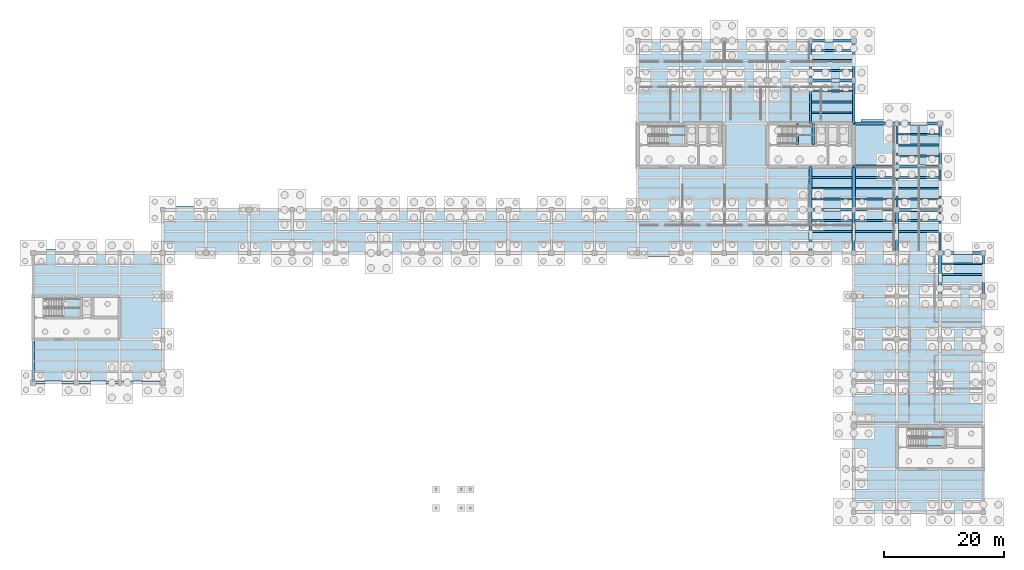
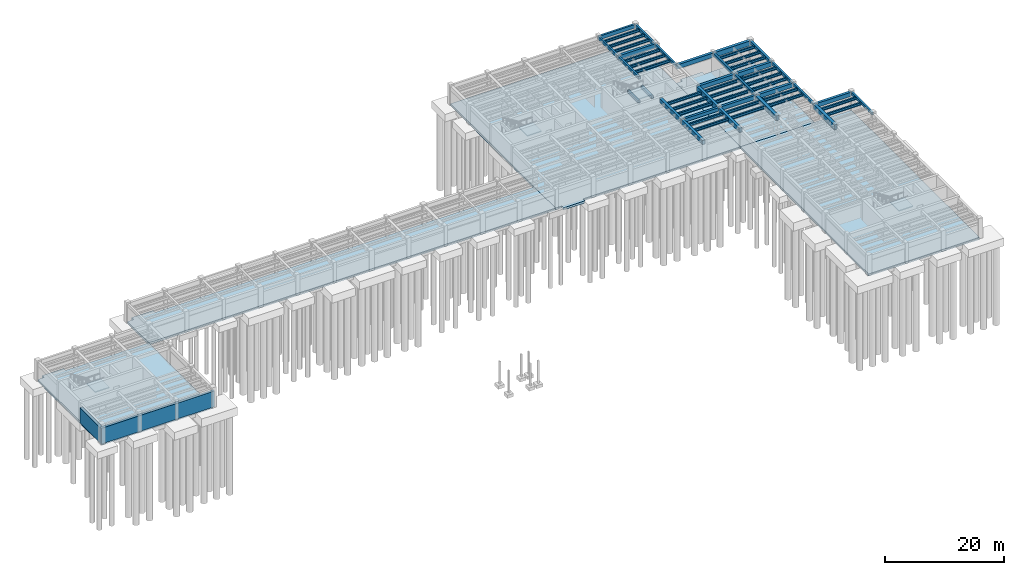
# One storey, part 10 of 22: 54 beams, 9 slabs, 2 walls, 4 elements without a shape of their own.
"""IFC4 building model written with IfcOpenShell, lengths in metres."""

from ifc_helpers import new_model, si_unit, direction, frame, frame_2d, origin, origin_2d, place, context, subcontext, project, spatial, polyline, rectangle, i_section, outline, extrude, material, layer, layer_set, material_profile, profile_set, type_object, element, aggregate, save


model = new_model("IFC4")

# Units and contexts
model_context = context("Model", 3, precision=1e-05, world=origin(), true_north=direction((0.0, 1.0)))
body_context = subcontext(model_context, "Body", "Model", "MODEL_VIEW")
ifc_project = project(units=[si_unit("LENGTHUNIT", "METRE"), si_unit("AREAUNIT", "SQUARE_METRE"), si_unit("VOLUMEUNIT", "CUBIC_METRE"), si_unit("PLANEANGLEUNIT", "RADIAN"), si_unit("MASSUNIT", "GRAM", prefix="KILO")], contexts=[model_context])

# Site, building, storey
site_placement = place(None, origin())
site = spatial("IfcSite", under=ifc_project, at=site_placement, CompositionType="ELEMENT")
building_placement = place(site_placement, origin())
building = spatial("IfcBuilding", under=site, at=building_placement, Name="Mithqara Police Headquarters", CompositionType="ELEMENT")
storey_placement = place(building_placement, frame((0.0, 0.0, -8.39990234375)))
storey = spatial("IfcBuildingStorey", under=building, at=storey_placement, Name="B2", CompositionType="ELEMENT", Elevation=-8.39990234375)

# Beams
ifc_material_1 = material(Name="Steel S355JR", Category="steel")
ifc_material_profile_1 = material_profile(ifc_material_1, i_section(OverallWidth=0.300048828125, OverallDepth=0.550048828125, WebThickness=0.014892578125, FlangeThickness=0.029052734375, FilletRadius=0.027099609375, at=origin_2d()), Name="HEB 550")
ifc_profile_set_1 = profile_set([ifc_material_profile_1], Name="Steel S355JR")
beam_type_1 = type_object("IfcBeamType", Name="BEAM HEB550", PredefinedType="BEAM", material=ifc_profile_set_1)
for number, where, z_axis, x_axis, name in (
    (1, (137.64990234375, 82.199951171875, 3.625), (1.0, 0.0, 0.0), (0.0, 1.0, 0.0), "B2 Composite Steel Joist 20-21/M.2"),
    (2, (137.64990234375, 84.0, 3.625), (1.0, 0.0, 0.0), (0.0, 1.0, 0.0), "B2 Composite Steel Joist 20-21/M.3"),
):
    element("IfcBeam", number, at=place(storey_placement, frame(where, z_axis=z_axis, x_axis=x_axis)), inside=storey, type_object=beam_type_1, Name=name, PredefinedType="BEAM", context=body_context, shape_type="SweptSolid", body=[
        extrude(i_section(OverallWidth=0.300048828125, OverallDepth=0.550048828125, WebThickness=0.014892578125, FlangeThickness=0.029052734375, FilletRadius=0.027099609375, at=origin_2d()), origin(), (0.0, 0.0, 1.0), 6.7001953125),
    ])
for number, where, z_axis, x_axis, name in (
    (3, (137.64990234375, 87.60009765625, 3.625), (1.0, 0.0, 0.0), (0.0, 1.0, 0.0), "B2 Composite Steel Joist 20-21/N.1"),
    (4, (137.64990234375, 89.39990234375, 3.625), (1.0, 0.0, 0.0), (0.0, 1.0, 0.0), "B2 Composite Steel Joist 20-21/N.2"),
    (5, (137.64990234375, 91.199951171875, 3.625), (1.0, 0.0, 0.0), (0.0, 1.0, 0.0), "B2 Composite Steel Joist 20-21/N.3"),
):
    element("IfcBeam", number, at=place(storey_placement, frame(where, z_axis=z_axis, x_axis=x_axis)), inside=storey, type_object=beam_type_1, Name=name, PredefinedType="BEAM", context=body_context, shape_type="SweptSolid", body=[
        extrude(i_section(OverallWidth=0.300048828125, OverallDepth=0.550048828125, WebThickness=0.014892578125, FlangeThickness=0.029052734375, FilletRadius=0.027099609375, at=origin_2d()), origin(), (0.0, 0.0, 1.0), 6.675048828125),
    ])
for number, where, z_axis, x_axis, name in (
    (6, (137.574951171875, 102.0, 3.625), (1.0, 0.0, 0.0), (0.0, 1.0, 0.0), "B2 Composite Steel Joist 20-21/Q.1"),
    (7, (137.574951171875, 103.800048828125, 3.625), (1.0, 0.0, 0.0), (0.0, 1.0, 0.0), "B2 Composite Steel Joist 20-21/Q.2"),
    (8, (137.574951171875, 105.60009765625, 3.625), (1.0, 0.0, 0.0), (0.0, 1.0, 0.0), "B2 Composite Steel Joist 20-21/Q.3"),
):
    element("IfcBeam", number, at=place(storey_placement, frame(where, z_axis=z_axis, x_axis=x_axis)), inside=storey, type_object=beam_type_1, Name=name, PredefinedType="BEAM", context=body_context, shape_type="SweptSolid", body=[
        extrude(i_section(OverallWidth=0.300048828125, OverallDepth=0.550048828125, WebThickness=0.014892578125, FlangeThickness=0.029052734375, FilletRadius=0.027099609375, at=origin_2d()), origin(), (0.0, 0.0, 1.0), 6.85009765625),
    ])
for number, where, z_axis, x_axis, name in (
    (9, (137.574951171875, 109.050048828125, 3.625), (1.0, 0.0, 0.0), (0.0, 1.0, 0.0), "B2 Composite Steel Joist 20-21/R.1"),
    (10, (137.574951171875, 110.699951171875, 3.625), (1.0, 0.0, 0.0), (0.0, 1.0, 0.0), "B2 Composite Steel Joist 20-21/R.2"),
    (11, (137.574951171875, 112.35009765625, 3.625), (1.0, 0.0, 0.0), (0.0, 1.0, 0.0), "B2 Composite Steel Joist 20-21/R.3"),
):
    element("IfcBeam", number, at=place(storey_placement, frame(where, z_axis=z_axis, x_axis=x_axis)), inside=storey, type_object=beam_type_1, Name=name, PredefinedType="BEAM", context=body_context, shape_type="SweptSolid", body=[
        extrude(i_section(OverallWidth=0.300048828125, OverallDepth=0.550048828125, WebThickness=0.014892578125, FlangeThickness=0.029052734375, FilletRadius=0.027099609375, at=origin_2d()), origin(), (0.0, 0.0, 1.0), 6.824951171875),
    ])
for number, where, z_axis, x_axis, name in (
    (12, (144.85009765625, 82.199951171875, 3.625), (1.0, 0.0, 0.0), (0.0, 1.0, 0.0), "B2 Composite Steel Joist 21-22/M.2"),
    (13, (144.85009765625, 84.0, 3.625), (1.0, 0.0, 0.0), (0.0, 1.0, 0.0), "B2 Composite Steel Joist 21-22/M.3"),
):
    element("IfcBeam", number, at=place(storey_placement, frame(where, z_axis=z_axis, x_axis=x_axis)), inside=storey, type_object=beam_type_1, Name=name, PredefinedType="BEAM", context=body_context, shape_type="SweptSolid", body=[
        extrude(i_section(OverallWidth=0.300048828125, OverallDepth=0.550048828125, WebThickness=0.014892578125, FlangeThickness=0.029052734375, FilletRadius=0.027099609375, at=origin_2d()), origin(), (0.0, 0.0, 1.0), 6.6748046875),
    ])
for number, where, z_axis, x_axis, name in (
    (14, (144.875, 87.60009765625, 3.625), (1.0, 0.0, 0.0), (0.0, 1.0, 0.0), "B2 Composite Steel Joist 21-22/N.1"),
    (15, (144.875, 89.39990234375, 3.625), (1.0, 0.0, 0.0), (0.0, 1.0, 0.0), "B2 Composite Steel Joist 21-22/N.2"),
    (16, (144.875, 91.199951171875, 3.625), (1.0, 0.0, 0.0), (0.0, 1.0, 0.0), "B2 Composite Steel Joist 21-22/N.3"),
    (17, (152.074951171875, 82.199951171875, 3.625), (1.0, 0.0, 0.0), (0.0, 1.0, 0.0), "B2 Composite Steel Joist 22-23/M.2"),
    (18, (152.074951171875, 84.0, 3.625), (1.0, 0.0, 0.0), (0.0, 1.0, 0.0), "B2 Composite Steel Joist 22-23/M.3"),
):
    element("IfcBeam", number, at=place(storey_placement, frame(where, z_axis=z_axis, x_axis=x_axis)), inside=storey, type_object=beam_type_1, Name=name, PredefinedType="BEAM", context=body_context, shape_type="SweptSolid", body=[
        extrude(i_section(OverallWidth=0.300048828125, OverallDepth=0.550048828125, WebThickness=0.014892578125, FlangeThickness=0.029052734375, FilletRadius=0.027099609375, at=origin_2d()), origin(), (0.0, 0.0, 1.0), 6.75),
    ])
for number, where, z_axis, x_axis, name in (
    (19, (151.97509765625, 87.60009765625, 3.625), (1.0, 0.0, 0.0), (0.0, 1.0, 0.0), "B2 Composite Steel Joist 22-23/N.1"),
    (20, (151.97509765625, 89.39990234375, 3.625), (1.0, 0.0, 0.0), (0.0, 1.0, 0.0), "B2 Composite Steel Joist 22-23/N.2"),
    (21, (151.97509765625, 91.199951171875, 3.625), (1.0, 0.0, 0.0), (0.0, 1.0, 0.0), "B2 Composite Steel Joist 22-23/N.3"),
):
    element("IfcBeam", number, at=place(storey_placement, frame(where, z_axis=z_axis, x_axis=x_axis)), inside=storey, type_object=beam_type_1, Name=name, PredefinedType="BEAM", context=body_context, shape_type="SweptSolid", body=[
        extrude(i_section(OverallWidth=0.300048828125, OverallDepth=0.550048828125, WebThickness=0.014892578125, FlangeThickness=0.029052734375, FilletRadius=0.027099609375, at=origin_2d()), origin(), (0.0, 0.0, 1.0), 6.849853515625),
    ])
for number, where, z_axis, x_axis, name in (
    (22, (151.97509765625, 94.800048828125, 3.625), (1.0, 0.0, 0.0), (0.0, 1.0, 0.0), "B2 Composite Steel Joist 22-23/P.1"),
    (23, (151.97509765625, 96.60009765625, 3.625), (1.0, 0.0, 0.0), (0.0, 1.0, 0.0), "B2 Composite Steel Joist 22-23/P.2"),
    (24, (151.97509765625, 98.39990234375, 3.625), (1.0, 0.0, 0.0), (0.0, 1.0, 0.0), "B2 Composite Steel Joist 22-23/P.3"),
):
    element("IfcBeam", number, at=place(storey_placement, frame(where, z_axis=z_axis, x_axis=x_axis)), inside=storey, type_object=beam_type_1, Name=name, PredefinedType="BEAM", context=body_context, shape_type="SweptSolid", body=[
        extrude(i_section(OverallWidth=0.300048828125, OverallDepth=0.550048828125, WebThickness=0.014892578125, FlangeThickness=0.029052734375, FilletRadius=0.027099609375, at=origin_2d()), origin(), (0.0, 0.0, 1.0), 6.824951171875),
    ])
for number, where, z_axis, x_axis, name in (
    (25, (159.27490234375, 75.0, 3.625), (1.0, 0.0, 0.0), (0.0, 1.0, 0.0), "B2 Composite Steel Joist 23-24/L.2"),
    (26, (159.27490234375, 76.800048828125, 3.625), (1.0, 0.0, 0.0), (0.0, 1.0, 0.0), "B2 Composite Steel Joist 23-24/L.3"),
):
    element("IfcBeam", number, at=place(storey_placement, frame(where, z_axis=z_axis, x_axis=x_axis)), inside=storey, type_object=beam_type_1, Name=name, PredefinedType="BEAM", context=body_context, shape_type="SweptSolid", body=[
        extrude(i_section(OverallWidth=0.300048828125, OverallDepth=0.550048828125, WebThickness=0.014892578125, FlangeThickness=0.029052734375, FilletRadius=0.027099609375, at=origin_2d()), origin(), (0.0, 0.0, 1.0), 6.75),
    ])
ifc_material_2 = material(Name="Concrete C40/50", Category="concrete")
ifc_material_profile_2 = material_profile(ifc_material_2, rectangle(XDim=0.35009765625, YDim=0.550048828125, at=origin_2d()), Name="RC 350x550")
ifc_profile_set_2 = profile_set([ifc_material_profile_2], Name="Concrete C40/50")
beam_type_2 = type_object("IfcBeamType", Name="BEAM RC350X550", PredefinedType="BEAM", material=ifc_profile_set_2)
for number, where, z_axis, x_axis, name in (
    (27, (137.39990234375, 100.199951171875, 3.625), (0.0, 1.0, 0.0), (-1.0, 0.0, 0.0), "B2 Girder 20/Q-R"),
    (28, (151.800048828125, 85.800048828125, 3.625), (0.0, 1.0, 0.0), (-1.0, 0.0, 0.0), "B2 Girder 22/N-P"),
    (29, (159.0, 78.60009765625, 3.625), (0.0, 1.0, 0.0), (-1.0, 0.0, 0.0), "B2 Girder 23/M-N"),
):
    element("IfcBeam", number, at=place(storey_placement, frame(where, z_axis=z_axis, x_axis=x_axis)), inside=storey, type_object=beam_type_2, Name=name, PredefinedType="BEAM", context=body_context, shape_type="SweptSolid", body=[
        extrude(rectangle(XDim=0.35009765625, YDim=0.550048828125, at=origin_2d()), origin(), (0.0, 0.0, 1.0), 7.199951171875),
    ])
beam_1_placement = place(storey_placement, frame((166.199951171875, 71.39990234375, 3.625), z_axis=(0.0, 1.0, 0.0), x_axis=(-1.0, 0.0, 0.0)))
element("IfcBeam", 30, at=beam_1_placement, inside=storey, type_object=beam_type_2, Name="B2 Girder 24/L-M", PredefinedType="BEAM", context=body_context, shape_type="SweptSolid", body=[
    extrude(rectangle(XDim=0.35009765625, YDim=0.550048828125, at=origin_2d()), origin(), (0.0, 0.0, 1.0), 7.2001953125),
])
for number, where, z_axis, x_axis, name in (
    (31, (135.22998046875, 96.6201171875, 1.635009765625), (0.0, 1.0, 0.0), (-1.0, 0.0, 0.0), "B2 ST-02 Half-Landing Bearer LF"),
    (32, (137.85009765625, 96.6201171875, 1.635009765625), (0.0, 1.0, 0.0), (-1.0, 0.0, 0.0), "B2 ST-02 Half-Landing Bearer LB"),
):
    element("IfcBeam", number, at=place(storey_placement, frame(where, z_axis=z_axis, x_axis=x_axis)), inside=storey, type_object=beam_type_2, Name=name, PredefinedType="BEAM", context=body_context, shape_type="SweptSolid", body=[
        extrude(rectangle(XDim=0.35009765625, YDim=0.550048828125, at=origin_2d()), origin(), (0.0, 0.0, 1.0), 3.579833984375),
    ])
ifc_material_profile_3 = material_profile(ifc_material_2, rectangle(XDim=0.35009765625, YDim=0.60009765625, at=origin_2d()), Name="RC 350x600")
ifc_profile_set_3 = profile_set([ifc_material_profile_3], Name="Concrete C40/50")
beam_type_3 = type_object("IfcBeamType", Name="BEAM RC350X600", PredefinedType="BEAM", material=ifc_profile_set_3)
beam_2_placement = place(storey_placement, frame((137.39990234375, 107.39990234375, 3.599853515625), z_axis=(0.0, 1.0, 0.0), x_axis=(-1.0, 0.0, 0.0)))
element("IfcBeam", 33, at=beam_2_placement, inside=storey, type_object=beam_type_3, Name="B2 Girder 20/R-S", PredefinedType="BEAM", context=body_context, shape_type="SweptSolid", body=[
    extrude(rectangle(XDim=0.35009765625, YDim=0.60009765625, at=origin_2d()), origin(), (0.0, 0.0, 1.0), 6.60009765625),
])
for number, where, z_axis, x_axis, name in (
    (34, (144.60009765625, 100.199951171875, 3.599853515625), (0.0, 1.0, 0.0), (-1.0, 0.0, 0.0), "B2 Girder 21/Q-R"),
    (35, (151.800048828125, 93.0, 3.599853515625), (0.0, 1.0, 0.0), (-1.0, 0.0, 0.0), "B2 Girder 22/P-Q"),
    (36, (159.0, 85.800048828125, 3.599853515625), (0.0, 1.0, 0.0), (-1.0, 0.0, 0.0), "B2 Girder 23/N-P"),
):
    element("IfcBeam", number, at=place(storey_placement, frame(where, z_axis=z_axis, x_axis=x_axis)), inside=storey, type_object=beam_type_3, Name=name, PredefinedType="BEAM", context=body_context, shape_type="SweptSolid", body=[
        extrude(rectangle(XDim=0.35009765625, YDim=0.60009765625, at=origin_2d()), origin(), (0.0, 0.0, 1.0), 7.199951171875),
    ])
ifc_material_profile_4 = material_profile(ifc_material_2, rectangle(XDim=0.39990234375, YDim=0.64990234375, at=origin_2d()), Name="RC 400x650")
ifc_profile_set_4 = profile_set([ifc_material_profile_4], Name="Concrete C40/50")
beam_type_4 = type_object("IfcBeamType", Name="BEAM RC400X650", PredefinedType="BEAM", material=ifc_profile_set_4)
beam_3_placement = place(storey_placement, frame((144.60009765625, 107.39990234375, 3.574951171875), z_axis=(0.0, 1.0, 0.0), x_axis=(-1.0, 0.0, 0.0)))
element("IfcBeam", 37, at=beam_3_placement, inside=storey, type_object=beam_type_4, Name="B2 Girder 21/R-S", PredefinedType="BEAM", context=body_context, shape_type="SweptSolid", body=[
    extrude(rectangle(XDim=0.39990234375, YDim=0.64990234375, at=origin_2d()), origin(), (0.0, 0.0, 1.0), 6.60009765625),
])
beam_4_placement = place(storey_placement, frame((159.0, 93.0, 3.574951171875), z_axis=(0.0, 1.0, 0.0), x_axis=(-1.0, 0.0, 0.0)))
element("IfcBeam", 38, at=beam_4_placement, inside=storey, type_object=beam_type_4, Name="B2 Girder 23/P-Q", PredefinedType="BEAM", context=body_context, shape_type="SweptSolid", body=[
    extrude(rectangle(XDim=0.39990234375, YDim=0.64990234375, at=origin_2d()), origin(), (0.0, 0.0, 1.0), 7.199951171875),
])
ifc_material_profile_5 = material_profile(ifc_material_2, rectangle(XDim=0.449951171875, YDim=0.699951171875, at=origin_2d()), Name="RC 450x700")
ifc_profile_set_5 = profile_set([ifc_material_profile_5], Name="Concrete C40/50")
beam_type_5 = type_object("IfcBeamType", Name="BEAM RC450X700", PredefinedType="BEAM", material=ifc_profile_set_5)
beam_5_placement = place(storey_placement, frame((137.39990234375, 85.800048828125, 3.5498046875), z_axis=(1.0, 0.0, 0.0), x_axis=(0.0, 1.0, 0.0)))
element("IfcBeam", 39, at=beam_5_placement, inside=storey, type_object=beam_type_5, Name="B2 Girder 20-21/N", PredefinedType="BEAM", context=body_context, shape_type="SweptSolid", body=[
    extrude(rectangle(XDim=0.449951171875, YDim=0.699951171875, at=origin_2d()), origin(), (0.0, 0.0, 1.0), 7.2001953125),
])
ifc_material_profile_6 = material_profile(ifc_material_2, rectangle(XDim=0.449951171875, YDim=0.800048828125, at=origin_2d()), Name="RC 450x800")
ifc_profile_set_6 = profile_set([ifc_material_profile_6], Name="Concrete C40/50")
beam_type_6 = type_object("IfcBeamType", Name="BEAM RC450X800", PredefinedType="BEAM", material=ifc_profile_set_6)
beam_6_placement = place(storey_placement, frame((144.60009765625, 85.800048828125, 3.5), z_axis=(1.0, 0.0, 0.0), x_axis=(0.0, 1.0, 0.0)))
element("IfcBeam", 40, at=beam_6_placement, inside=storey, type_object=beam_type_6, Name="B2 Girder 21-22/N", PredefinedType="BEAM", context=body_context, shape_type="SweptSolid", body=[
    extrude(rectangle(XDim=0.449951171875, YDim=0.800048828125, at=origin_2d()), origin(), (0.0, 0.0, 1.0), 7.199951171875),
])
ifc_material_profile_7 = material_profile(ifc_material_2, rectangle(XDim=0.5, YDim=0.85009765625, at=origin_2d()), Name="RC 500x850")
ifc_profile_set_7 = profile_set([ifc_material_profile_7], Name="Concrete C40/50")
beam_type_7 = type_object("IfcBeamType", Name="BEAM RC500X850", PredefinedType="BEAM", material=ifc_profile_set_7)
for number, where, z_axis, x_axis, name in (
    (41, (137.39990234375, 78.60009765625, 3.474853515625), (0.0, 1.0, 0.0), (-1.0, 0.0, 0.0), "B2 Girder 20/M-N"),
    (42, (144.60009765625, 93.0, 3.474853515625), (1.0, 0.0, 0.0), (0.0, 1.0, 0.0), "B2 Girder 21-22/P"),
    (43, (151.800048828125, 85.800048828125, 3.474853515625), (1.0, 0.0, 0.0), (0.0, 1.0, 0.0), "B2 Girder 22-23/N"),
    (44, (159.0, 78.60009765625, 3.474853515625), (1.0, 0.0, 0.0), (0.0, 1.0, 0.0), "B2 Girder 23-24/M"),
):
    element("IfcBeam", number, at=place(storey_placement, frame(where, z_axis=z_axis, x_axis=x_axis)), inside=storey, type_object=beam_type_7, Name=name, PredefinedType="BEAM", context=body_context, shape_type="SweptSolid", body=[
        extrude(rectangle(XDim=0.5, YDim=0.85009765625, at=origin_2d()), origin(), (0.0, 0.0, 1.0), 7.199951171875),
    ])
ifc_material_3 = material(Name="Concrete C50/60", Category="concrete")
ifc_material_profile_8 = material_profile(ifc_material_3, rectangle(XDim=0.5, YDim=0.89990234375, at=origin_2d()), Name="RC 500x900")
ifc_profile_set_8 = profile_set([ifc_material_profile_8], Name="Concrete C50/60")
beam_type_8 = type_object("IfcBeamType", Name="BEAM RC500X900", PredefinedType="BEAM", material=ifc_profile_set_8)
beam_7_placement = place(storey_placement, frame((137.39990234375, 85.800048828125, 3.449951171875), z_axis=(0.0, 1.0, 0.0), x_axis=(-1.0, 0.0, 0.0)))
element("IfcBeam", 45, at=beam_7_placement, inside=storey, type_object=beam_type_8, Name="B2 Girder 20/N-P", PredefinedType="BEAM", context=body_context, shape_type="SweptSolid", body=[
    extrude(rectangle(XDim=0.5, YDim=0.89990234375, at=origin_2d()), origin(), (0.0, 0.0, 1.0), 7.199951171875),
])
beam_8_placement = place(storey_placement, frame((137.39990234375, 107.39990234375, 3.449951171875), z_axis=(1.0, 0.0, 0.0), x_axis=(0.0, 1.0, 0.0)))
element("IfcBeam", 46, at=beam_8_placement, inside=storey, type_object=beam_type_8, Name="B2 Girder 20-21/R", PredefinedType="BEAM", context=body_context, shape_type="SweptSolid", body=[
    extrude(rectangle(XDim=0.5, YDim=0.89990234375, at=origin_2d()), origin(), (0.0, 0.0, 1.0), 7.2001953125),
])
for number, where, z_axis, x_axis, name in (
    (47, (144.60009765625, 78.60009765625, 3.449951171875), (0.0, 1.0, 0.0), (-1.0, 0.0, 0.0), "B2 Girder 21/M-N"),
    (48, (144.60009765625, 100.199951171875, 3.449951171875), (1.0, 0.0, 0.0), (0.0, 1.0, 0.0), "B2 Girder 21-22/Q"),
    (49, (151.800048828125, 93.0, 3.449951171875), (1.0, 0.0, 0.0), (0.0, 1.0, 0.0), "B2 Girder 22-23/P"),
):
    element("IfcBeam", number, at=place(storey_placement, frame(where, z_axis=z_axis, x_axis=x_axis)), inside=storey, type_object=beam_type_8, Name=name, PredefinedType="BEAM", context=body_context, shape_type="SweptSolid", body=[
        extrude(rectangle(XDim=0.5, YDim=0.89990234375, at=origin_2d()), origin(), (0.0, 0.0, 1.0), 7.199951171875),
    ])
ifc_material_profile_9 = material_profile(ifc_material_3, rectangle(XDim=0.550048828125, YDim=1.0, at=origin_2d()), Name="RC 550x1000")
ifc_profile_set_9 = profile_set([ifc_material_profile_9], Name="Concrete C50/60")
beam_type_9 = type_object("IfcBeamType", Name="BEAM RC550X1000", PredefinedType="BEAM", material=ifc_profile_set_9)
for number, where, z_axis, x_axis, name in (
    (50, (144.60009765625, 85.800048828125, 3.39990234375), (0.0, 1.0, 0.0), (-1.0, 0.0, 0.0), "B2 Girder 21/N-P"),
    (51, (151.800048828125, 78.60009765625, 3.39990234375), (0.0, 1.0, 0.0), (-1.0, 0.0, 0.0), "B2 Girder 22/M-N"),
    (52, (151.800048828125, 100.199951171875, 3.39990234375), (1.0, 0.0, 0.0), (0.0, 1.0, 0.0), "B2 Girder 22-23/Q"),
):
    element("IfcBeam", number, at=place(storey_placement, frame(where, z_axis=z_axis, x_axis=x_axis)), inside=storey, type_object=beam_type_9, Name=name, PredefinedType="BEAM", context=body_context, shape_type="SweptSolid", body=[
        extrude(rectangle(XDim=0.550048828125, YDim=1.0, at=origin_2d()), origin(), (0.0, 0.0, 1.0), 7.199951171875),
    ])
beam_9_placement = place(storey_placement, frame((159.0, 71.39990234375, 3.39990234375), z_axis=(0.0, 1.0, 0.0), x_axis=(-1.0, 0.0, 0.0)))
element("IfcBeam", 53, at=beam_9_placement, inside=storey, type_object=beam_type_9, Name="B2 Girder 23/L-M", PredefinedType="BEAM", context=body_context, shape_type="SweptSolid", body=[
    extrude(rectangle(XDim=0.550048828125, YDim=1.0, at=origin_2d()), origin(), (0.0, 0.0, 1.0), 7.2001953125),
])
ifc_material_profile_10 = material_profile(ifc_material_2, rectangle(XDim=0.39990234375, YDim=0.75, at=origin_2d()), Name="SPB 400x750")
ifc_profile_set_10 = profile_set([ifc_material_profile_10], Name="Concrete C40/50")
beam_type_10 = type_object("IfcBeamType", Name="SPANDREL 400X750", PredefinedType="SPANDREL", material=ifc_profile_set_10)
beam_10_placement = place(storey_placement, frame((137.39990234375, 114.0, 3.52490234375), z_axis=(1.0, 0.0, 0.0), x_axis=(0.0, 1.0, 0.0)))
element("IfcBeam", 54, at=beam_10_placement, inside=storey, type_object=beam_type_10, Name="B2 Girder 20-21/S", PredefinedType="SPANDREL", context=body_context, shape_type="SweptSolid", body=[
    extrude(rectangle(XDim=0.39990234375, YDim=0.75, at=origin_2d()), origin(), (0.0, 0.0, 1.0), 7.2001953125),
])

# Slabs
ifc_layer_1 = layer(ifc_material_2, 0.449951171875, Name="Concrete C40/50")
ifc_layer_set_1 = layer_set([ifc_layer_1], Name="Concrete C40/50")
slab_type_1 = type_object("IfcSlabType", Name="BASE SLAB 450", PredefinedType="BASESLAB", material=ifc_layer_set_1)
slab_1_placement = place(storey_placement, frame((0.0, 0.0, -0.4501953125)))
element("IfcSlab", 55, at=slab_1_placement, inside=storey, type_object=slab_type_1, Name="B2 Structural Slab B2-V1A", PredefinedType="BASESLAB", context=body_context, shape_type="SweptSolid", body=[
    extrude(outline(polyline([(109.800048828125, 78.60009765625), (108.60009765625, 78.60009765625), (108.60009765625, 114.0), (144.60009765625, 114.0), (144.60009765625, 78.60009765625), (114.0, 78.60009765625), (114.0, 77.949951171875), (109.800048828125, 77.949951171875), (109.800048828125, 78.60009765625)])), origin(), (0.0, 0.0, 1.0), 0.4501953125),
])
slab_2_placement = place(storey_placement, frame((0.0, 0.0, -0.4501953125)))
element("IfcSlab", 56, at=slab_2_placement, inside=storey, type_object=slab_type_1, Name="B2 Structural Slab B2-V1B", PredefinedType="BASESLAB", context=body_context, shape_type="SweptSolid", body=[
    extrude(outline(polyline([(159.0, 78.60009765625), (144.60009765625, 78.60009765625), (144.60009765625, 100.199951171875), (145.800048828125, 100.199951171875), (145.800048828125, 100.85009765625), (150.0, 100.85009765625), (150.0, 100.199951171875), (159.0, 100.199951171875), (159.0, 78.60009765625)])), origin(), (0.0, 0.0, 1.0), 0.4501953125),
])
slab_3_placement = place(storey_placement, frame((0.0, 0.0, -0.4501953125)))
element("IfcSlab", 57, at=slab_3_placement, inside=storey, type_object=slab_type_1, Name="B2 Structural Slab B2-V5N", PredefinedType="BASESLAB", context=body_context, shape_type="SweptSolid", body=[
    extrude(outline(polyline([(29.39990234375, 78.60009765625), (29.39990234375, 85.800048828125), (30.60009765625, 85.800048828125), (30.60009765625, 86.449951171875), (34.800048828125, 86.449951171875), (34.800048828125, 85.800048828125), (108.60009765625, 85.800048828125), (108.60009765625, 78.60009765625), (29.39990234375, 78.60009765625)])), origin(), (0.0, 0.0, 1.0), 0.4501953125),
])
slab_4_placement = place(storey_placement, frame((0.0, 0.0, -0.4501953125)))
element("IfcSlab", 58, at=slab_4_placement, inside=storey, type_object=slab_type_1, Name="B2 Structural Slab B2-V5W", PredefinedType="BASESLAB", context=body_context, shape_type="SweptSolid", body=[
    extrude(outline(polyline([(7.800048828125, 57.0), (7.800048828125, 78.60009765625), (9.0, 78.60009765625), (9.0, 79.25), (13.199951171875, 79.25), (13.199951171875, 78.60009765625), (29.39990234375, 78.60009765625), (29.39990234375, 57.0), (7.800048828125, 57.0)])), origin(), (0.0, 0.0, 1.0), 0.4501953125),
])
slab_5_placement = place(storey_placement, frame((0.0, 0.0, -0.4501953125)))
element("IfcSlab", 59, at=slab_5_placement, inside=storey, type_object=slab_type_1, Name="B2 Structural Slab B2-V6E", PredefinedType="BASESLAB", context=body_context, shape_type="SweptSolid", body=[
    extrude(outline(polyline([(166.199951171875, 78.60009765625), (166.199951171875, 35.39990234375), (144.60009765625, 35.39990234375), (144.60009765625, 78.60009765625), (159.0, 78.60009765625), (166.199951171875, 78.60009765625)])), origin(), (0.0, 0.0, 1.0), 0.4501953125),
])

# Stair, slab
stair_type_1 = type_object("IfcStairType", Name="STAIR ST 01-R24", PredefinedType="HALF_TURN_STAIR", material=ifc_material_2)
stair_1_placement = place(storey_placement, origin())
stair_1 = element("IfcStair", 60, at=stair_1_placement, inside=storey, type_object=stair_type_1, Name="B2 Core C1 Command West Exit Stair", PredefinedType="HALF_TURN_STAIR")
ifc_layer_2 = layer(ifc_material_2, 0.199951171875, Name="Concrete C40/50")
ifc_layer_set_2 = layer_set([ifc_layer_2], Name="Concrete C40/50")
slab_type_2 = type_object("IfcSlabType", Name="STAIR LANDING 200", PredefinedType="LANDING", material=ifc_layer_set_2)
slab_6_placement = place(storey_placement, frame((0.0, 0.0, 1.89990234375)))
slab_6 = element("IfcSlab", 61, at=slab_6_placement, type_object=slab_type_2, Name="ST-01 landing 1", PredefinedType="LANDING", context=body_context, shape_type="SweptSolid", body=[
    extrude(outline(polyline([(113.6298828125, 96.800048828125), (116.39990234375, 96.800048828125), (116.39990234375, 99.699951171875), (113.6298828125, 99.699951171875), (113.6298828125, 96.800048828125)])), origin(), (0.0, 0.0, 1.0), 0.199951171875),
])
aggregate(stair_1, [slab_6])

stair_type_2 = type_object("IfcStairType", Name="STAIR ST 02-R24", PredefinedType="HALF_TURN_STAIR", material=ifc_material_2)
stair_2_placement = place(storey_placement, origin())
stair_2 = element("IfcStair", 62, at=stair_2_placement, inside=storey, type_object=stair_type_2, Name="B2 Core C2 Command East Exit Stair", PredefinedType="HALF_TURN_STAIR")
slab_7_placement = place(storey_placement, frame((0.0, 0.0, 1.89990234375)))
slab_7 = element("IfcSlab", 63, at=slab_7_placement, type_object=slab_type_2, Name="ST-02 landing 1", PredefinedType="LANDING", context=body_context, shape_type="SweptSolid", body=[
    extrude(outline(polyline([(135.22998046875, 96.800048828125), (138.0, 96.800048828125), (138.0, 99.699951171875), (135.22998046875, 99.699951171875), (135.22998046875, 96.800048828125)])), origin(), (0.0, 0.0, 1.0), 0.199951171875),
])
aggregate(stair_2, [slab_7])

stair_type_3 = type_object("IfcStairType", Name="STAIR ST 03-R24", PredefinedType="HALF_TURN_STAIR", material=ifc_material_2)
stair_3_placement = place(storey_placement, origin())
stair_3 = element("IfcStair", 64, at=stair_3_placement, inside=storey, type_object=stair_type_3, Name="B2 Core C3 Operations West Exit Stair", PredefinedType="HALF_TURN_STAIR")
slab_8_placement = place(storey_placement, frame((0.0, 0.0, 1.89990234375)))
slab_8 = element("IfcSlab", 65, at=slab_8_placement, type_object=slab_type_2, Name="ST-03 landing 1", PredefinedType="LANDING", context=body_context, shape_type="SweptSolid", body=[
    extrude(outline(polyline([(12.830078125, 68.0), (15.60009765625, 68.0), (15.60009765625, 70.89990234375), (12.830078125, 70.89990234375), (12.830078125, 68.0)])), origin(), (0.0, 0.0, 1.0), 0.199951171875),
])
aggregate(stair_3, [slab_8])

stair_type_4 = type_object("IfcStairType", Name="STAIR ST 04-R24", PredefinedType="HALF_TURN_STAIR", material=ifc_material_2)
stair_4_placement = place(storey_placement, origin())
stair_4 = element("IfcStair", 66, at=stair_4_placement, inside=storey, type_object=stair_type_4, Name="B2 Core C4 Forensics East Exit Stair", PredefinedType="HALF_TURN_STAIR")
slab_9_placement = place(storey_placement, frame((0.0, 0.0, 1.89990234375)))
slab_9 = element("IfcSlab", 67, at=slab_9_placement, type_object=slab_type_2, Name="ST-04 landing 1", PredefinedType="LANDING", context=body_context, shape_type="SweptSolid", body=[
    extrude(outline(polyline([(156.830078125, 46.39990234375), (159.60009765625, 46.39990234375), (159.60009765625, 49.300048828125), (156.830078125, 49.300048828125), (156.830078125, 46.39990234375)])), origin(), (0.0, 0.0, 1.0), 0.199951171875),
])
aggregate(stair_4, [slab_9])

# Walls
ifc_layer_3 = layer(ifc_material_2, 0.4599609375, Name="Concrete C40/50")
ifc_layer_set_3 = layer_set([ifc_layer_3], Name="Concrete C40/50")
wall_type = type_object("IfcWallType", Name="RETAINING WALL 460", PredefinedType="USERDEFINED", material=ifc_layer_set_3)
wall_1_placement = place(storey_placement, frame((29.6298828125, 57.0, 0.0), z_axis=(0.0, 0.0, 1.0), x_axis=(-1.0, 0.0, 0.0)))
element("IfcWall", 68, at=wall_1_placement, inside=storey, type_object=wall_type, Name="B2 Perimeter Retaining Wall 18", ObjectType="RETAININGWALL", PredefinedType="USERDEFINED", context=body_context, shape_type="SweptSolid", body=[
    extrude(rectangle(XDim=22.059814453125, YDim=0.4599609375, at=frame_2d((11.02978515625, 0.0))), origin(), (0.0, 0.0, 1.0), 3.25),
])
wall_2_placement = place(storey_placement, frame((7.800048828125, 57.219970703125, 0.0), z_axis=(0.0, 0.0, 1.0), x_axis=(0.0, 1.0, 0.0)))
element("IfcWall", 69, at=wall_2_placement, inside=storey, type_object=wall_type, Name="B2 Perimeter Retaining Wall 19", ObjectType="RETAININGWALL", PredefinedType="USERDEFINED", context=body_context, shape_type="SweptSolid", body=[
    extrude(rectangle(XDim=6.75, YDim=0.4599609375, at=frame_2d((3.375, 0.0))), origin(), (0.0, 0.0, 1.0), 3.14990234375),
])

save(model, "model.ifc")
